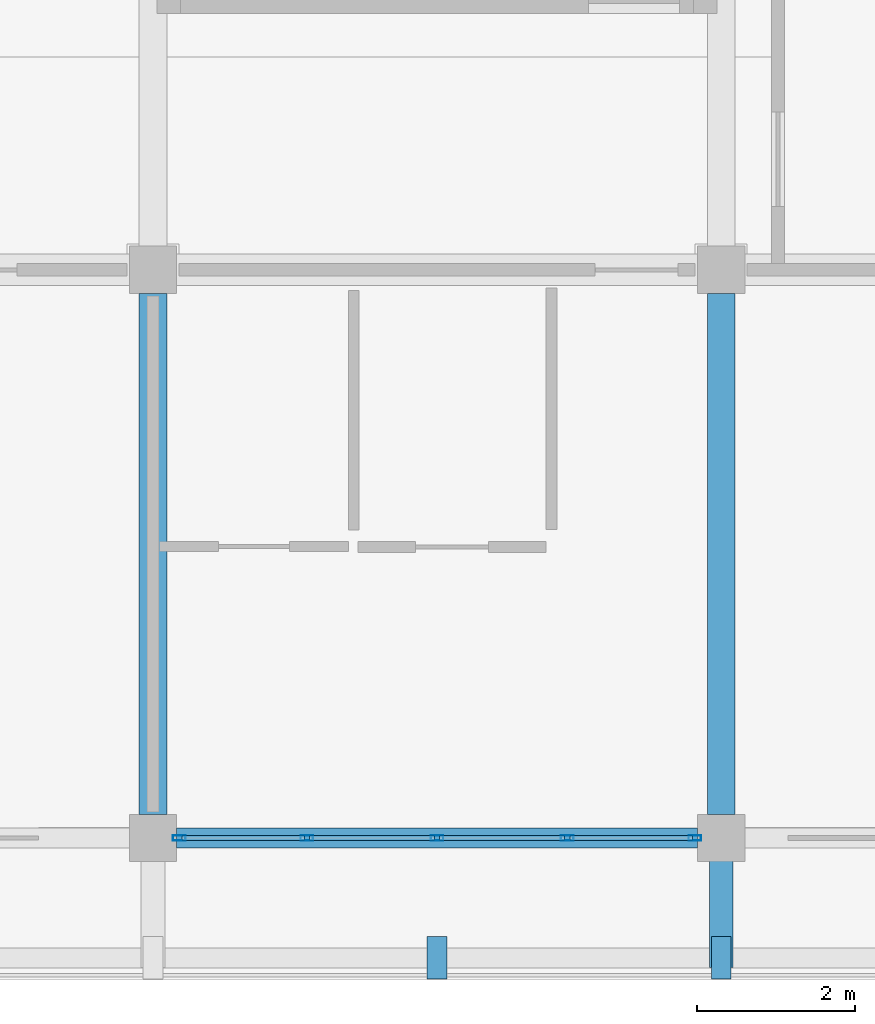
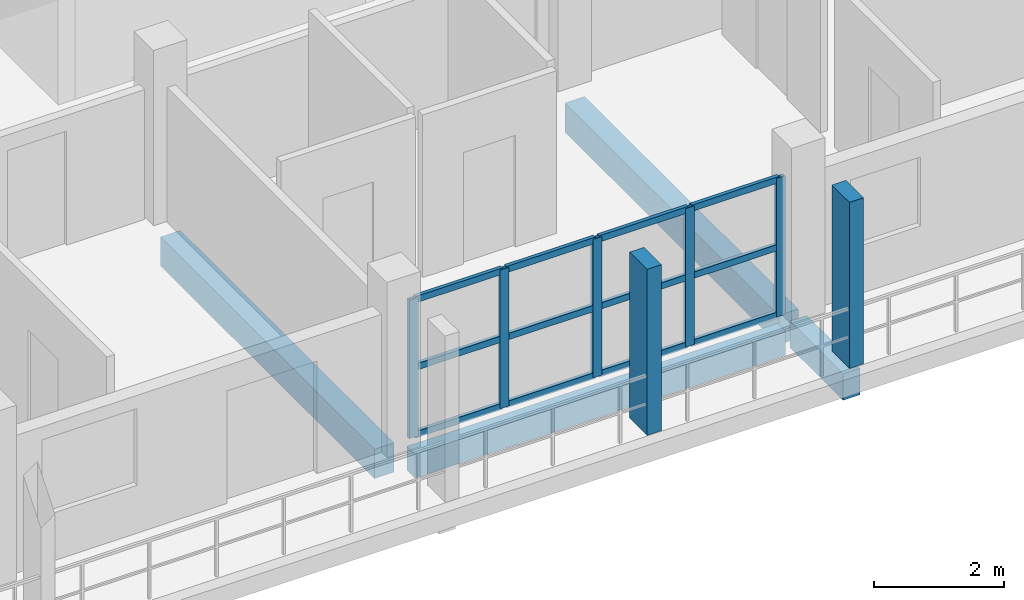
# One storey, part 4 of 75: 19 members, 4 beams, 1 element without a shape of its own.
"""IFC4 building model written with IfcOpenShell, lengths in metres."""

from ifc_helpers import new_model, si_unit, direction, frame, origin, origin_2d, place, context, subcontext, project, spatial, rectangle, hollow_rectangle, extrude, material, material_profile, profile_set, type_object, element, aggregate, save


model = new_model("IFC4")

# Units and contexts
model_context = context("Model", 3, precision=1e-05, world=origin(), true_north=direction((0.0, 1.0)))
body_context = subcontext(model_context, "Body", "Model", "MODEL_VIEW")
ifc_project = project(units=[si_unit("LENGTHUNIT", "METRE"), si_unit("AREAUNIT", "SQUARE_METRE"), si_unit("VOLUMEUNIT", "CUBIC_METRE"), si_unit("PLANEANGLEUNIT", "RADIAN"), si_unit("MASSUNIT", "GRAM", prefix="KILO")], contexts=[model_context])

# Site, building, storey
site_placement = place(None, origin())
site = spatial("IfcSite", under=ifc_project, at=site_placement, CompositionType="ELEMENT")
building_placement = place(site_placement, origin())
building = spatial("IfcBuilding", under=site, at=building_placement, Name="Suanplinth Sawtooth Commons", CompositionType="ELEMENT")
storey_placement = place(building_placement, frame((0.0, 0.0, 18.60009765625)))
storey = spatial("IfcBuildingStorey", under=building, at=storey_placement, Name="L05", CompositionType="ELEMENT", Elevation=18.60009765625)

# Beams
ifc_material_1 = material(Name="Precast concrete C40/50", Category="concrete")
ifc_material_profile_1 = material_profile(ifc_material_1, rectangle(XDim=0.35009765625, YDim=0.550048828125, at=origin_2d()), Name="PC-BM 350x550")
ifc_profile_set_1 = profile_set([ifc_material_profile_1], Name="Precast concrete C40/50")
beam_type_1 = type_object("IfcBeamType", Name="B-06", PredefinedType="BEAM", material=ifc_profile_set_1)
for number, where, z_axis, x_axis, name in (
    (1, (14.39990234375, 0.300048828125, -0.525146484375), (0.0, 1.0, 0.0), (-1.0, 0.0, 0.0), "BMY-L05-D-2-0"),
    (2, (21.60009765625, 0.300048828125, -0.525146484375), (0.0, 1.0, 0.0), (-1.0, 0.0, 0.0), "BMY-L05-D-3-0"),
):
    element("IfcBeam", number, at=place(storey_placement, frame(where, z_axis=z_axis, x_axis=x_axis)), inside=storey, type_object=beam_type_1, Name=name, PredefinedType="BEAM", context=body_context, shape_type="SweptSolid", body=[
        extrude(rectangle(XDim=0.35009765625, YDim=0.550048828125, at=origin_2d()), origin(), (0.0, 0.0, 1.0), 6.599853515625),
    ])
ifc_material_profile_2 = material_profile(ifc_material_1, rectangle(XDim=0.300048828125, YDim=0.5, at=origin_2d()), Name="PC-BM 300x500")
ifc_profile_set_2 = profile_set([ifc_material_profile_2], Name="Precast concrete C40/50")
beam_type_2 = type_object("IfcBeamType", Name="B-07", PredefinedType="BEAM", material=ifc_profile_set_2)
beam_1_placement = place(storey_placement, frame((21.60009765625, 0.0, -0.43017578125), z_axis=(0.0, -1.0, 0.0), x_axis=(1.0, 0.0, 0.0)))
element("IfcBeam", 3, at=beam_1_placement, inside=storey, type_object=beam_type_2, Name="Balcony Outrigger L05-D-S-3", PredefinedType="BEAM", context=body_context, shape_type="SweptSolid", body=[
    extrude(rectangle(XDim=0.300048828125, YDim=0.5, at=origin_2d()), origin(), (0.0, 0.0, 1.0), 1.639892578125),
])
ifc_material_profile_3 = material_profile(ifc_material_1, rectangle(XDim=0.25, YDim=0.449951171875, at=origin_2d()), Name="PC-SP 250x450")
ifc_profile_set_3 = profile_set([ifc_material_profile_3], Name="Precast concrete C40/50")
beam_type_3 = type_object("IfcBeamType", Name="B-09", PredefinedType="SPANDREL", material=ifc_profile_set_3)
beam_2_placement = place(storey_placement, frame((14.699951171875, 0.0, -0.47509765625), z_axis=(1.0, 0.0, 0.0), x_axis=(0.0, 1.0, 0.0)))
element("IfcBeam", 4, at=beam_2_placement, inside=storey, type_object=beam_type_3, Name="BMX-L05-D-2-0", PredefinedType="SPANDREL", context=body_context, shape_type="SweptSolid", body=[
    extrude(rectangle(XDim=0.25, YDim=0.449951171875, at=origin_2d()), origin(), (0.0, 0.0, 1.0), 6.60009765625),
])

# Members
ifc_material_2 = material(Name="Pigmented precast concrete C40/50", Category="concrete")
ifc_material_profile_4 = material_profile(ifc_material_2, rectangle(XDim=0.25, YDim=0.5400390625, at=origin_2d()), Name="PC-FIN 250x540")
ifc_profile_set_4 = profile_set([ifc_material_profile_4], Name="Pigmented precast concrete C40/50")
member_type_1 = type_object("IfcMemberType", Name="M-11", PredefinedType="USERDEFINED", material=ifc_profile_set_4)
for number, where, z_axis, x_axis, name in (
    (5, (18.0, -1.52001953125, 0.0), (0.0, 0.0, 1.0), (1.0, 0.0, 0.0), "Upright Solar Blade L05-D-S-04"),
    (6, (21.60009765625, -1.52001953125, 0.0), (0.0, 0.0, 1.0), (1.0, 0.0, 0.0), "Upright Solar Blade L05-D-S-05"),
):
    element("IfcMember", number, at=place(storey_placement, frame(where, z_axis=z_axis, x_axis=x_axis)), inside=storey, type_object=member_type_1, Name=name, ObjectType="SHADING FIN", PredefinedType="USERDEFINED", context=body_context, shape_type="SweptSolid", body=[
        extrude(rectangle(XDim=0.25, YDim=0.5400390625, at=origin_2d()), origin(), (0.0, 0.0, 1.0), 3.1298828125),
    ])

# Curtain wall, members
ifc_material_3 = material(Name="Anodized aluminium and low-E glazing", Category="aluminium")
curtain_wall_type = type_object("IfcCurtainWallType", Name="CW-06", PredefinedType="USERDEFINED", material=ifc_material_3)
curtain_wall_placement = place(storey_placement, origin())
curtain_wall = element("IfcCurtainWall", 7, at=curtain_wall_placement, inside=storey, type_object=curtain_wall_type, Name="Curtain Wall CW-L05-D-LOUNGE-2", ObjectType="CURTAIN WALL", PredefinedType="USERDEFINED")
ifc_material_4 = material(Name="Anodized aluminium 6063-T6", Category="aluminium")
ifc_material_profile_5 = material_profile(ifc_material_4, hollow_rectangle(XDim=0.06494140625, YDim=0.159912109375, WallThickness=0.00390625, at=origin_2d()), Name="ALU-MUL 65x160")
ifc_profile_set_5 = profile_set([ifc_material_profile_5], Name="Anodized aluminium 6063-T6")
member_type_2 = type_object("IfcMemberType", Name="M-13", PredefinedType="MULLION", material=ifc_profile_set_5)
member_1_placement = place(storey_placement, frame((14.732421875, 0.0, 0.0), z_axis=(0.0, 0.0, 1.0), x_axis=(0.0, 1.0, 0.0)))
member_1 = element("IfcMember", 8, at=member_1_placement, type_object=member_type_2, Name="CW-06 mullion 1", PredefinedType="MULLION", context=body_context, shape_type="SweptSolid", body=[
    extrude(hollow_rectangle(XDim=0.06494140625, YDim=0.159912109375, WallThickness=0.00390625, at=origin_2d()), origin(), (0.0, 0.0, 1.0), 2.60986328125),
])
member_2_placement = place(storey_placement, frame((16.35009765625, 0.0, 0.0), z_axis=(0.0, 0.0, 1.0), x_axis=(0.0, 1.0, 0.0)))
member_2 = element("IfcMember", 9, at=member_2_placement, type_object=member_type_2, Name="CW-06 mullion 2", PredefinedType="MULLION", context=body_context, shape_type="SweptSolid", body=[
    extrude(hollow_rectangle(XDim=0.06494140625, YDim=0.159912109375, WallThickness=0.00390625, at=origin_2d()), origin(), (0.0, 0.0, 1.0), 2.60986328125),
])
member_3_placement = place(storey_placement, frame((18.0, 0.0, 0.0), z_axis=(0.0, 0.0, 1.0), x_axis=(0.0, 1.0, 0.0)))
member_3 = element("IfcMember", 10, at=member_3_placement, type_object=member_type_2, Name="CW-06 mullion 3", PredefinedType="MULLION", context=body_context, shape_type="SweptSolid", body=[
    extrude(hollow_rectangle(XDim=0.06494140625, YDim=0.159912109375, WallThickness=0.00390625, at=origin_2d()), origin(), (0.0, 0.0, 1.0), 2.60986328125),
])
member_4_placement = place(storey_placement, frame((19.64990234375, 0.0, 0.0), z_axis=(0.0, 0.0, 1.0), x_axis=(0.0, 1.0, 0.0)))
member_4 = element("IfcMember", 11, at=member_4_placement, type_object=member_type_2, Name="CW-06 mullion 4", PredefinedType="MULLION", context=body_context, shape_type="SweptSolid", body=[
    extrude(hollow_rectangle(XDim=0.06494140625, YDim=0.159912109375, WallThickness=0.00390625, at=origin_2d()), origin(), (0.0, 0.0, 1.0), 2.60986328125),
])
member_5_placement = place(storey_placement, frame((21.267578125, 0.0, 0.0), z_axis=(0.0, 0.0, 1.0), x_axis=(0.0, 1.0, 0.0)))
member_5 = element("IfcMember", 12, at=member_5_placement, type_object=member_type_2, Name="CW-06 mullion 5", PredefinedType="MULLION", context=body_context, shape_type="SweptSolid", body=[
    extrude(hollow_rectangle(XDim=0.06494140625, YDim=0.159912109375, WallThickness=0.00390625, at=origin_2d()), origin(), (0.0, 0.0, 1.0), 2.60986328125),
])
ifc_material_profile_6 = material_profile(ifc_material_4, hollow_rectangle(XDim=0.06494140625, YDim=0.1201171875, WallThickness=0.00390625, at=origin_2d()), Name="ALU-TRN 65x120")
ifc_profile_set_6 = profile_set([ifc_material_profile_6], Name="Anodized aluminium 6063-T6")
member_type_3 = type_object("IfcMemberType", Name="M-15", PredefinedType="USERDEFINED", material=ifc_profile_set_6)
member_6_placement = place(storey_placement, frame((14.764892578125, 0.0, 0.032470703125), z_axis=(1.0, 0.0, 0.0), x_axis=(0.0, 1.0, 0.0)))
member_6 = element("IfcMember", 13, at=member_6_placement, type_object=member_type_3, Name="CW-06 transom 1.1", ObjectType="TRANSOM", PredefinedType="USERDEFINED", context=body_context, shape_type="SweptSolid", body=[
    extrude(hollow_rectangle(XDim=0.06494140625, YDim=0.1201171875, WallThickness=0.00390625, at=origin_2d()), origin(), (0.0, 0.0, 1.0), 1.552490234375),
])
member_7_placement = place(storey_placement, frame((14.764892578125, 0.0, 1.304931640625), z_axis=(1.0, 0.0, 0.0), x_axis=(0.0, 1.0, 0.0)))
member_7 = element("IfcMember", 14, at=member_7_placement, type_object=member_type_3, Name="CW-06 transom 1.2", ObjectType="TRANSOM", PredefinedType="USERDEFINED", context=body_context, shape_type="SweptSolid", body=[
    extrude(hollow_rectangle(XDim=0.06494140625, YDim=0.1201171875, WallThickness=0.00390625, at=origin_2d()), origin(), (0.0, 0.0, 1.0), 1.552490234375),
])
member_8_placement = place(storey_placement, frame((14.764892578125, 0.0, 2.577392578125), z_axis=(1.0, 0.0, 0.0), x_axis=(0.0, 1.0, 0.0)))
member_8 = element("IfcMember", 15, at=member_8_placement, type_object=member_type_3, Name="CW-06 transom 1.3", ObjectType="TRANSOM", PredefinedType="USERDEFINED", context=body_context, shape_type="SweptSolid", body=[
    extrude(hollow_rectangle(XDim=0.06494140625, YDim=0.1201171875, WallThickness=0.00390625, at=origin_2d()), origin(), (0.0, 0.0, 1.0), 1.552490234375),
])
member_9_placement = place(storey_placement, frame((16.382568359375, 0.0, 0.032470703125), z_axis=(1.0, 0.0, 0.0), x_axis=(0.0, 1.0, 0.0)))
member_9 = element("IfcMember", 16, at=member_9_placement, type_object=member_type_3, Name="CW-06 transom 2.1", ObjectType="TRANSOM", PredefinedType="USERDEFINED", context=body_context, shape_type="SweptSolid", body=[
    extrude(hollow_rectangle(XDim=0.06494140625, YDim=0.1201171875, WallThickness=0.00390625, at=origin_2d()), origin(), (0.0, 0.0, 1.0), 1.5849609375),
])
member_10_placement = place(storey_placement, frame((16.382568359375, 0.0, 1.304931640625), z_axis=(1.0, 0.0, 0.0), x_axis=(0.0, 1.0, 0.0)))
member_10 = element("IfcMember", 17, at=member_10_placement, type_object=member_type_3, Name="CW-06 transom 2.2", ObjectType="TRANSOM", PredefinedType="USERDEFINED", context=body_context, shape_type="SweptSolid", body=[
    extrude(hollow_rectangle(XDim=0.06494140625, YDim=0.1201171875, WallThickness=0.00390625, at=origin_2d()), origin(), (0.0, 0.0, 1.0), 1.5849609375),
])
member_11_placement = place(storey_placement, frame((16.382568359375, 0.0, 2.577392578125), z_axis=(1.0, 0.0, 0.0), x_axis=(0.0, 1.0, 0.0)))
member_11 = element("IfcMember", 18, at=member_11_placement, type_object=member_type_3, Name="CW-06 transom 2.3", ObjectType="TRANSOM", PredefinedType="USERDEFINED", context=body_context, shape_type="SweptSolid", body=[
    extrude(hollow_rectangle(XDim=0.06494140625, YDim=0.1201171875, WallThickness=0.00390625, at=origin_2d()), origin(), (0.0, 0.0, 1.0), 1.5849609375),
])
member_12_placement = place(storey_placement, frame((18.032470703125, 0.0, 0.032470703125), z_axis=(1.0, 0.0, 0.0), x_axis=(0.0, 1.0, 0.0)))
member_12 = element("IfcMember", 19, at=member_12_placement, type_object=member_type_3, Name="CW-06 transom 3.1", ObjectType="TRANSOM", PredefinedType="USERDEFINED", context=body_context, shape_type="SweptSolid", body=[
    extrude(hollow_rectangle(XDim=0.06494140625, YDim=0.1201171875, WallThickness=0.00390625, at=origin_2d()), origin(), (0.0, 0.0, 1.0), 1.5849609375),
])
member_13_placement = place(storey_placement, frame((18.032470703125, 0.0, 1.304931640625), z_axis=(1.0, 0.0, 0.0), x_axis=(0.0, 1.0, 0.0)))
member_13 = element("IfcMember", 20, at=member_13_placement, type_object=member_type_3, Name="CW-06 transom 3.2", ObjectType="TRANSOM", PredefinedType="USERDEFINED", context=body_context, shape_type="SweptSolid", body=[
    extrude(hollow_rectangle(XDim=0.06494140625, YDim=0.1201171875, WallThickness=0.00390625, at=origin_2d()), origin(), (0.0, 0.0, 1.0), 1.5849609375),
])
member_14_placement = place(storey_placement, frame((18.032470703125, 0.0, 2.577392578125), z_axis=(1.0, 0.0, 0.0), x_axis=(0.0, 1.0, 0.0)))
member_14 = element("IfcMember", 21, at=member_14_placement, type_object=member_type_3, Name="CW-06 transom 3.3", ObjectType="TRANSOM", PredefinedType="USERDEFINED", context=body_context, shape_type="SweptSolid", body=[
    extrude(hollow_rectangle(XDim=0.06494140625, YDim=0.1201171875, WallThickness=0.00390625, at=origin_2d()), origin(), (0.0, 0.0, 1.0), 1.5849609375),
])
member_15_placement = place(storey_placement, frame((19.6826171875, 0.0, 0.032470703125), z_axis=(1.0, 0.0, 0.0), x_axis=(0.0, 1.0, 0.0)))
member_15 = element("IfcMember", 22, at=member_15_placement, type_object=member_type_3, Name="CW-06 transom 4.1", ObjectType="TRANSOM", PredefinedType="USERDEFINED", context=body_context, shape_type="SweptSolid", body=[
    extrude(hollow_rectangle(XDim=0.06494140625, YDim=0.1201171875, WallThickness=0.00390625, at=origin_2d()), origin(), (0.0, 0.0, 1.0), 1.552490234375),
])
member_16_placement = place(storey_placement, frame((19.6826171875, 0.0, 1.304931640625), z_axis=(1.0, 0.0, 0.0), x_axis=(0.0, 1.0, 0.0)))
member_16 = element("IfcMember", 23, at=member_16_placement, type_object=member_type_3, Name="CW-06 transom 4.2", ObjectType="TRANSOM", PredefinedType="USERDEFINED", context=body_context, shape_type="SweptSolid", body=[
    extrude(hollow_rectangle(XDim=0.06494140625, YDim=0.1201171875, WallThickness=0.00390625, at=origin_2d()), origin(), (0.0, 0.0, 1.0), 1.552490234375),
])
member_17_placement = place(storey_placement, frame((19.6826171875, 0.0, 2.577392578125), z_axis=(1.0, 0.0, 0.0), x_axis=(0.0, 1.0, 0.0)))
member_17 = element("IfcMember", 24, at=member_17_placement, type_object=member_type_3, Name="CW-06 transom 4.3", ObjectType="TRANSOM", PredefinedType="USERDEFINED", context=body_context, shape_type="SweptSolid", body=[
    extrude(hollow_rectangle(XDim=0.06494140625, YDim=0.1201171875, WallThickness=0.00390625, at=origin_2d()), origin(), (0.0, 0.0, 1.0), 1.552490234375),
])
aggregate(curtain_wall, [member_1, member_2, member_3, member_4, member_5, member_6, member_7, member_8, member_9, member_10, member_11, member_12, member_13, member_14, member_15, member_16, member_17])

save(model, "model.ifc")
